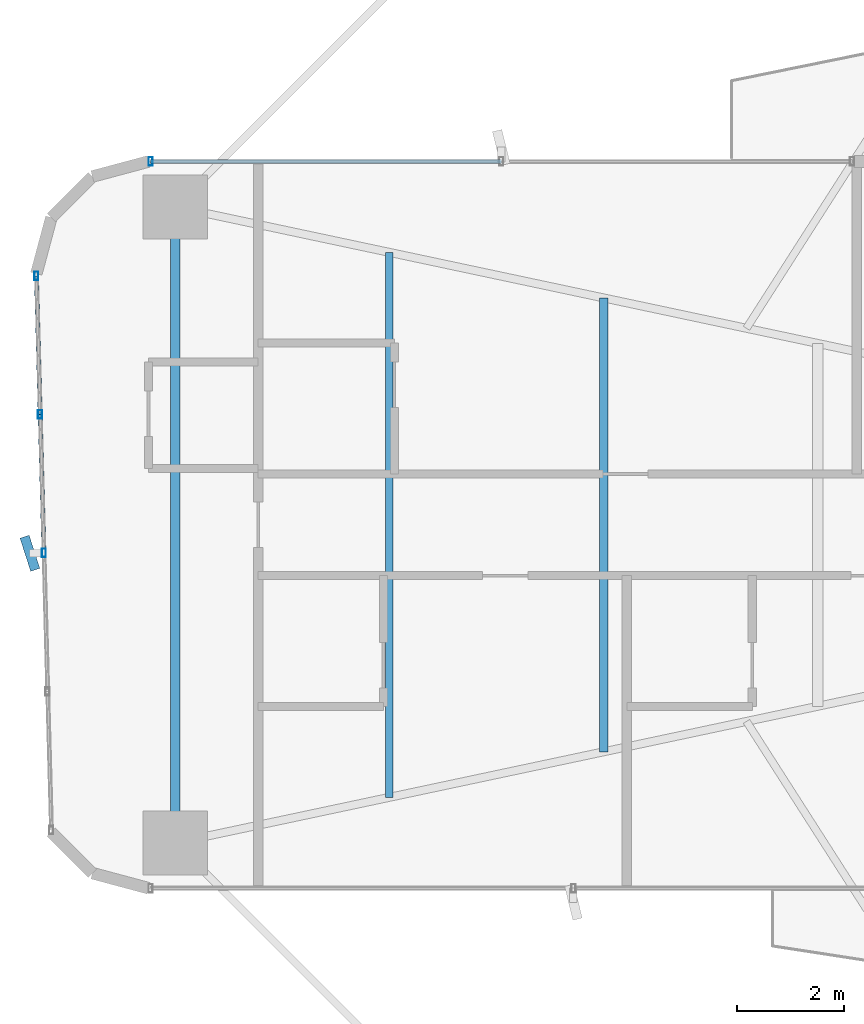
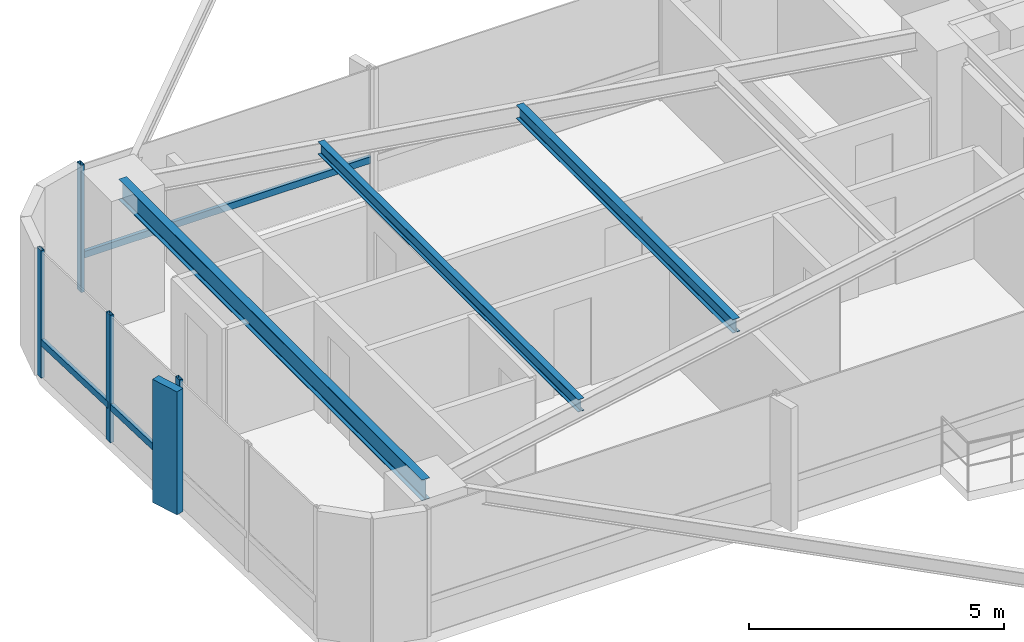
# One storey, part 8 of 26: 8 members, 3 beams, 2 elements without a shape of their own.
"""IFC4 building model written with IfcOpenShell, lengths in metres."""

from ifc_helpers import new_model, si_unit, direction, frame, origin, origin_2d, place, context, subcontext, project, spatial, rectangle, hollow_rectangle, i_section, extrude, source, transform, mapped, material, material_profile, profile_set, type_object, element, aggregate, save


model = new_model("IFC4")

# Units and contexts
model_context = context("Model", 3, precision=1e-05, world=origin(), true_north=direction((0.0, 1.0)))
body_context = subcontext(model_context, "Body", "Model", "MODEL_VIEW")
ifc_project = project(units=[si_unit("LENGTHUNIT", "METRE"), si_unit("AREAUNIT", "SQUARE_METRE"), si_unit("VOLUMEUNIT", "CUBIC_METRE"), si_unit("PLANEANGLEUNIT", "RADIAN"), si_unit("MASSUNIT", "GRAM", prefix="KILO")], contexts=[model_context])

# Site, building, storey
site_placement = place(None, origin())
site = spatial("IfcSite", under=ifc_project, at=site_placement, CompositionType="ELEMENT")
building_placement = place(site_placement, origin())
building = spatial("IfcBuilding", under=site, at=building_placement, Name="Sahyath Konkavel Grand Hotel", CompositionType="ELEMENT")
storey_placement = place(building_placement, frame((0.0, 0.0, 43.199951171875)))
storey = spatial("IfcBuildingStorey", under=building, at=storey_placement, Name="L11", CompositionType="ELEMENT", Elevation=43.199951171875)

# Beams
ifc_material_1 = material(Name="Steel E350", Category="steel")
ifc_material_profile_1 = material_profile(ifc_material_1, i_section(OverallWidth=0.179931640625, OverallDepth=0.5, WebThickness=0.01025390625, FlangeThickness=0.01708984375, FilletRadius=0.01708984375, at=origin_2d()), Name="ISMB 500")
ifc_profile_set_1 = profile_set([ifc_material_profile_1], Name="Steel E350")
beam_type_1 = type_object("IfcBeamType", Name="BM-ISMB500", PredefinedType="BEAM", material=ifc_profile_set_1)
shared_shape_1 = source(origin(), body_context, "Body", "SweptSolid", [
    extrude(i_section(OverallWidth=0.179931640625, OverallDepth=0.5, WebThickness=0.01025390625, FlangeThickness=0.01708984375, FilletRadius=0.01708984375, at=origin_2d()), origin(), (0.0, 0.0, 1.0), 11.89990234375),
])
beam_1_placement = place(storey_placement, frame((-22.199951171875, 5.949951171875, 2.800048828125), z_axis=(0.0, -1.0, 0.0), x_axis=(1.0, 0.0, 0.0)))
element("IfcBeam", 1, at=beam_1_placement, inside=storey, type_object=beam_type_1, Name="L11 Wing Tip Edge Beam W", PredefinedType="BEAM", context=body_context, shape_type="MappedRepresentation", body=[
    mapped(shared_shape_1, transform((0.0, 0.0, 0.0), scale=1.0)),
])
ifc_material_profile_2 = material_profile(ifc_material_1, i_section(OverallWidth=0.1650390625, OverallDepth=0.324951171875, WebThickness=0.007080078125, FlangeThickness=0.009765625, FilletRadius=0.014892578125, at=origin_2d()), Name="ISLB 325")
ifc_profile_set_2 = profile_set([ifc_material_profile_2], Name="Steel E350")
beam_type_2 = type_object("IfcBeamType", Name="BM-ISLB325", PredefinedType="BEAM", material=ifc_profile_set_2)
shared_shape_2 = source(origin(), body_context, "Body", "SweptSolid", [
    extrude(i_section(OverallWidth=0.1650390625, OverallDepth=0.324951171875, WebThickness=0.007080078125, FlangeThickness=0.009765625, FilletRadius=0.014892578125, at=origin_2d()), origin(), (0.0, 0.0, 1.0), 8.4921875),
])
beam_2_placement = place(storey_placement, frame((-14.18408203125, 4.24609375, 2.887451171875), z_axis=(0.0, -1.0, 0.0), x_axis=(1.0, 0.0, 0.0)))
element("IfcBeam", 2, at=beam_2_placement, inside=storey, type_object=beam_type_2, Name="L11 Secondary Floor Beam W-2", PredefinedType="BEAM", context=body_context, shape_type="MappedRepresentation", body=[
    mapped(shared_shape_2, transform((0.0, 0.0, 0.0), scale=1.0)),
])
ifc_material_profile_3 = material_profile(ifc_material_1, i_section(OverallWidth=0.139892578125, OverallDepth=0.300048828125, WebThickness=0.0078125, FlangeThickness=0.01318359375, FilletRadius=0.013916015625, at=origin_2d()), Name="ISMB 300")
ifc_profile_set_3 = profile_set([ifc_material_profile_3], Name="Steel E350")
beam_type_3 = type_object("IfcBeamType", Name="BM-ISMB300", PredefinedType="BEAM", material=ifc_profile_set_3)
shared_shape_3 = source(origin(), body_context, "Body", "SweptSolid", [
    extrude(i_section(OverallWidth=0.139892578125, OverallDepth=0.300048828125, WebThickness=0.0078125, FlangeThickness=0.01318359375, FilletRadius=0.013916015625, at=origin_2d()), origin(), (0.0, 0.0, 1.0), 10.19580078125),
])
beam_3_placement = place(storey_placement, frame((-18.19189453125, 5.097900390625, 2.900146484375), z_axis=(0.0, -1.0, 0.0), x_axis=(1.0, 0.0, 0.0)))
element("IfcBeam", 3, at=beam_3_placement, inside=storey, type_object=beam_type_3, Name="L11 Secondary Floor Beam W-3", PredefinedType="BEAM", context=body_context, shape_type="MappedRepresentation", body=[
    mapped(shared_shape_3, transform((0.0, 0.0, 0.0), scale=1.0)),
])

# Curtain wall, members
ifc_material_2 = material(Name="Anodised Bronze Aluminium & Low-E Glazing", Category="aluminium")
curtain_wall_type = type_object("IfcCurtainWallType", Name="CW-ZONE1", PredefinedType="NOTDEFINED", material=ifc_material_2)
curtain_wall_1_placement = place(storey_placement, origin())
curtain_wall_1 = element("IfcCurtainWall", 4, at=curtain_wall_1_placement, inside=storey, type_object=curtain_wall_type, Name="L11 Unitised Curtain Wall F20", PredefinedType="NOTDEFINED")
ifc_material_3 = material(Name="Anodised Bronze Aluminium", Category="aluminium")
ifc_material_profile_4 = material_profile(ifc_material_3, hollow_rectangle(XDim=0.080078125, YDim=0.159912109375, WallThickness=0.006103515625, at=origin_2d()), Name="RHS 160x80x6")
ifc_profile_set_4 = profile_set([ifc_material_profile_4], Name="Anodised Bronze Aluminium")
member_type_1 = type_object("IfcMemberType", Name="CW-TRN-160", PredefinedType="USERDEFINED", material=ifc_profile_set_4)
shared_shape_4 = source(origin(), body_context, "Body", "SweptSolid", [
    extrude(hollow_rectangle(XDim=0.080078125, YDim=0.159912109375, WallThickness=0.006103515625, at=origin_2d()), origin(), (0.0, 0.0, 1.0), 2.593505859375),
])
member_1_placement = place(storey_placement, frame((-24.798828125, 4.659912109375, 0.85009765625), z_axis=(0.026923093252, -0.999637507825, 0.0), x_axis=(0.999637507825, 0.026923093252, 0.0)))
member_1 = element("IfcMember", 5, at=member_1_placement, type_object=member_type_1, Name="L11 Curtain Wall Transom F20-0-spandrel", ObjectType="TRANSOM", PredefinedType="USERDEFINED", context=body_context, shape_type="MappedRepresentation", body=[
    mapped(shared_shape_4, transform((0.0, 0.0, 0.0), scale=1.0)),
])
shared_shape_5 = source(origin(), body_context, "Body", "SweptSolid", [
    extrude(hollow_rectangle(XDim=0.080078125, YDim=0.159912109375, WallThickness=0.006103515625, at=origin_2d()), origin(), (0.0, 0.0, 1.0), 2.59326171875),
])
member_2_placement = place(storey_placement, frame((-24.72900390625, 2.0673828125, 0.85009765625), z_axis=(0.026925627022, -0.99963743958, 0.0), x_axis=(0.99963743958, 0.026925627022, 0.0)))
member_2 = element("IfcMember", 6, at=member_2_placement, type_object=member_type_1, Name="L11 Curtain Wall Transom F20-1-spandrel", ObjectType="TRANSOM", PredefinedType="USERDEFINED", context=body_context, shape_type="MappedRepresentation", body=[
    mapped(shared_shape_5, transform((0.0, 0.0, 0.0), scale=1.0)),
])

curtain_wall_2_placement = place(storey_placement, origin())
curtain_wall_2 = element("IfcCurtainWall", 7, at=curtain_wall_2_placement, inside=storey, type_object=curtain_wall_type, Name="L11 Unitised Curtain Wall F16", PredefinedType="NOTDEFINED")
shared_shape_6 = source(origin(), body_context, "Body", "SweptSolid", [
    extrude(hollow_rectangle(XDim=0.080078125, YDim=0.159912109375, WallThickness=0.006103515625, at=origin_2d()), origin(), (0.0, 0.0, 1.0), 6.559814453125),
])
member_3_placement = place(storey_placement, frame((-16.10009765625, 6.800048828125, 0.85009765625), z_axis=(-1.0, 0.0, 0.0), x_axis=(0.0, -1.0, 0.0)))
member_3 = element("IfcMember", 8, at=member_3_placement, type_object=member_type_1, Name="L11 Curtain Wall Transom F16-1-spandrel", ObjectType="TRANSOM", PredefinedType="USERDEFINED", context=body_context, shape_type="MappedRepresentation", body=[
    mapped(shared_shape_6, transform((0.0, 0.0, 0.0), scale=1.0)),
])
ifc_material_profile_5 = material_profile(ifc_material_3, hollow_rectangle(XDim=0.080078125, YDim=0.159912109375, WallThickness=0.006103515625, at=origin_2d()), Name="RHS 160x80x6")
ifc_profile_set_5 = profile_set([ifc_material_profile_5], Name="Anodised Bronze Aluminium")
member_type_2 = type_object("IfcMemberType", Name="CW-MUL-160", PredefinedType="MULLION", material=ifc_profile_set_5)
shared_shape_7 = source(origin(), body_context, "Body", "SweptSolid", [
    extrude(hollow_rectangle(XDim=0.080078125, YDim=0.159912109375, WallThickness=0.006103515625, at=origin_2d()), origin(), (0.0, 0.0, 1.0), 3.050048828125),
])
member_4_placement = place(storey_placement, frame((-22.659912109375, 6.800048828125, 0.0), z_axis=(0.0, 0.0, 1.0), x_axis=(1.0, 0.0, 0.0)))
member_4 = element("IfcMember", 9, at=member_4_placement, type_object=member_type_2, Name="L11 Curtain Wall Mullion F16-2", PredefinedType="MULLION", context=body_context, shape_type="MappedRepresentation", body=[
    mapped(shared_shape_7, transform((0.0, 0.0, 0.0), scale=1.0)),
])
aggregate(curtain_wall_2, [member_4, member_3])

# Member
member_5_placement = place(storey_placement, frame((-24.798828125, 4.659912109375, 0.0), z_axis=(0.0, 0.0, 1.0), x_axis=(1.0, 0.0, 0.0)))
member_5 = element("IfcMember", 10, at=member_5_placement, type_object=member_type_2, Name="L11 Curtain Wall Mullion F20-0", PredefinedType="MULLION", context=body_context, shape_type="MappedRepresentation", body=[
    mapped(shared_shape_7, transform((0.0, 0.0, 0.0), scale=1.0)),
])

member_6_placement = place(storey_placement, frame((-24.72900390625, 2.0673828125, 0.0), z_axis=(0.0, 0.0, 1.0), x_axis=(1.0, 0.0, 0.0)))
member_6 = element("IfcMember", 11, at=member_6_placement, type_object=member_type_2, Name="L11 Curtain Wall Mullion F20-1", PredefinedType="MULLION", context=body_context, shape_type="MappedRepresentation", body=[
    mapped(shared_shape_7, transform((0.0, 0.0, 0.0), scale=1.0)),
])

member_7_placement = place(storey_placement, frame((-24.6591796875, -0.52490234375, 0.0), z_axis=(0.0, 0.0, 1.0), x_axis=(1.0, 0.0, 0.0)))
member_7 = element("IfcMember", 12, at=member_7_placement, type_object=member_type_2, Name="L11 Curtain Wall Mullion F20-2", PredefinedType="MULLION", context=body_context, shape_type="MappedRepresentation", body=[
    mapped(shared_shape_7, transform((0.0, 0.0, 0.0), scale=1.0)),
])

ifc_material_4 = material(Name="Warm Buff Sandstone Cladding on Concrete C50/60", Category="masonry")
ifc_material_profile_6 = material_profile(ifc_material_4, rectangle(XDim=0.179931640625, YDim=0.64990234375, at=origin_2d()), Name="FIN 180x650")
ifc_profile_set_6 = profile_set([ifc_material_profile_6], Name="Warm Buff Sandstone Cladding on Concrete C50/60")
member_type_3 = type_object("IfcMemberType", Name="FIN-SANDSTONE-650", PredefinedType="MULLION", material=ifc_profile_set_6)
shared_shape_8 = source(origin(), body_context, "Body", "SweptSolid", [
    extrude(rectangle(XDim=0.179931640625, YDim=0.64990234375, at=origin_2d()), origin(), (0.0, 0.0, 1.0), 2.949951171875),
])
member_8_placement = place(storey_placement, frame((-24.919189453125, -0.531982421875, 0.050048828125), z_axis=(0.0, 0.0, 1.0), x_axis=(0.951487058208, 0.307688768178, 0.0)))
member_8 = element("IfcMember", 13, at=member_8_placement, type_object=member_type_3, Name="L11 Sandstone Vertical Solar Fin FIN F20-2", PredefinedType="MULLION", context=body_context, shape_type="MappedRepresentation", body=[
    mapped(shared_shape_8, transform((0.0, 0.0, 0.0), scale=1.0)),
])

aggregate(curtain_wall_1, [member_5, member_6, member_7, member_8, member_1, member_2])

save(model, "model.ifc")
